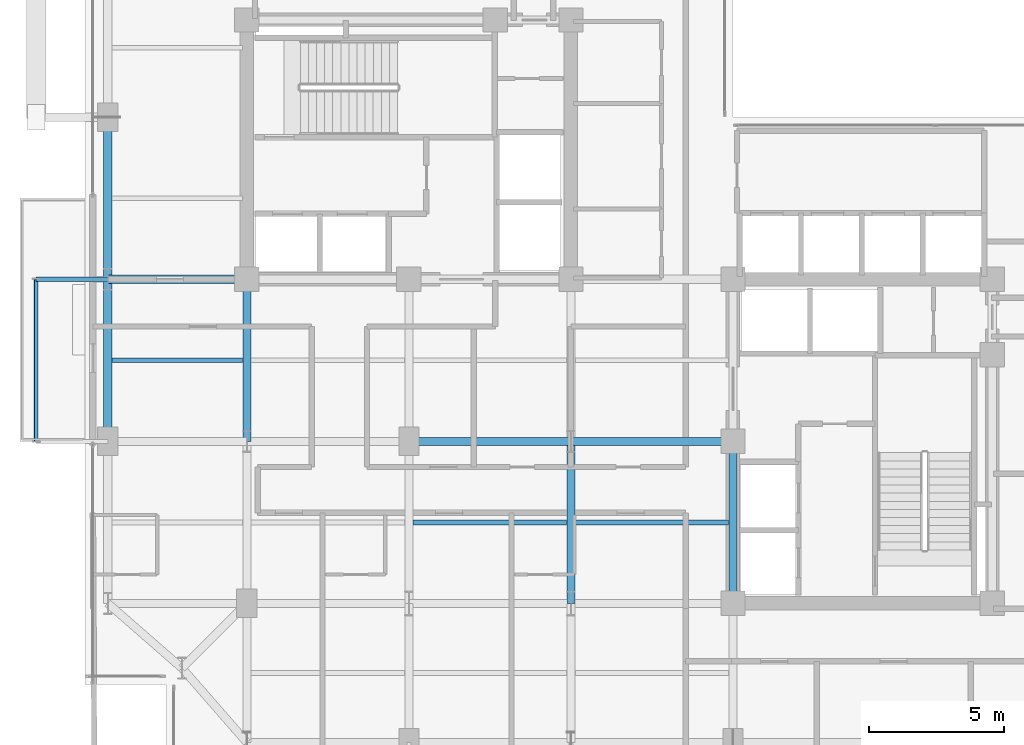
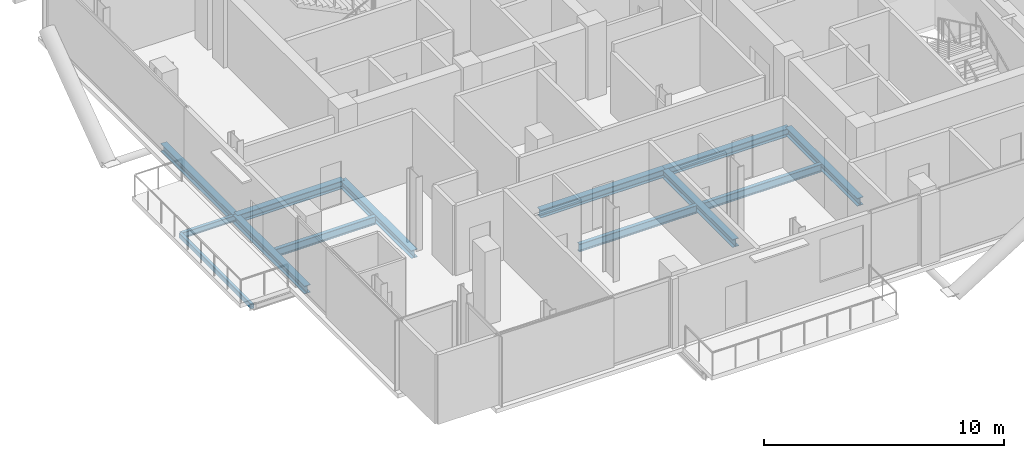
# One storey, part 6 of 22: 13 beams.
"""IFC4 building model written with IfcOpenShell, lengths in metres."""

from ifc_helpers import new_model, si_unit, direction, frame, origin, origin_2d, place, context, subcontext, project, spatial, hollow_rectangle, i_section, extrude, material, material_profile, profile_set, type_object, element, save


model = new_model("IFC4")

# Units and contexts
model_context = context("Model", 3, precision=1e-05, world=origin(), true_north=direction((0.0, 1.0)))
body_context = subcontext(model_context, "Body", "Model", "MODEL_VIEW")
ifc_project = project(units=[si_unit("LENGTHUNIT", "METRE"), si_unit("AREAUNIT", "SQUARE_METRE"), si_unit("VOLUMEUNIT", "CUBIC_METRE"), si_unit("PLANEANGLEUNIT", "RADIAN"), si_unit("MASSUNIT", "GRAM", prefix="KILO"), si_unit("THERMODYNAMICTEMPERATUREUNIT", "KELVIN"), si_unit("POWERUNIT", "WATT")], contexts=[model_context])

# Site, building, storey
site_placement = place(None, origin())
site = spatial("IfcSite", under=ifc_project, at=site_placement, CompositionType="ELEMENT")
building_placement = place(site_placement, origin())
building = spatial("IfcBuilding", under=site, at=building_placement, Name="Svarakhadi Broadcast Tower", CompositionType="ELEMENT")
storey_placement = place(building_placement, frame((0.0, 0.0, 176.699951171875)))
storey = spatial("IfcBuildingStorey", under=building, at=storey_placement, Name="L43", CompositionType="ELEMENT", Elevation=176.699951171875)

# Beams
ifc_material_1 = material(Name="Steel S355J2 (IS 2062 E350C)", Category="steel")
ifc_material_profile_1 = material_profile(ifc_material_1, i_section(OverallWidth=0.179931640625, OverallDepth=0.39990234375, WebThickness=0.008544921875, FlangeThickness=0.013427734375, FilletRadius=0.02099609375, at=origin_2d()), Name="NPB 400x180x66")
ifc_profile_set_1 = profile_set([ifc_material_profile_1], Name="Steel S355J2 (IS 2062 E350C)")
beam_type_1 = type_object("IfcBeamType", Name="Beam_NPB400", PredefinedType="BEAM", material=ifc_profile_set_1)
beam_1_placement = place(storey_placement, frame((1.010009765625, 15.0, -0.409912109375), z_axis=(1.0, 0.0, 0.0), x_axis=(0.0, 1.0, 0.0)))
element("IfcBeam", 1, at=beam_1_placement, inside=storey, type_object=beam_type_1, Name="L43 Secondary Composite Beam SB002", PredefinedType="BEAM", context=body_context, shape_type="SweptSolid", body=[
    extrude(i_section(OverallWidth=0.179931640625, OverallDepth=0.39990234375, WebThickness=0.008544921875, FlangeThickness=0.013427734375, FilletRadius=0.02099609375, at=origin_2d()), origin(), (0.0, 0.0, 1.0), 4.830078125),
])
for number, where, z_axis, x_axis, name in (
    (2, (12.159912109375, 9.0, -0.409912109375), (1.0, 0.0, 0.0), (0.0, 1.0, 0.0), "L43 Secondary Composite Beam SB010"),
    (3, (18.159912109375, 9.0, -0.409912109375), (1.0, 0.0, 0.0), (0.0, 1.0, 0.0), "L43 Secondary Composite Beam SB014"),
):
    element("IfcBeam", number, at=place(storey_placement, frame(where, z_axis=z_axis, x_axis=x_axis)), inside=storey, type_object=beam_type_1, Name=name, PredefinedType="BEAM", context=body_context, shape_type="SweptSolid", body=[
        extrude(i_section(OverallWidth=0.179931640625, OverallDepth=0.39990234375, WebThickness=0.008544921875, FlangeThickness=0.013427734375, FilletRadius=0.02099609375, at=origin_2d()), origin(), (0.0, 0.0, 1.0), 5.68017578125),
    ])
ifc_material_profile_2 = material_profile(ifc_material_1, i_section(OverallWidth=0.300048828125, OverallDepth=0.39990234375, WebThickness=0.013427734375, FlangeThickness=0.02392578125, FilletRadius=0.027099609375, at=origin_2d()), Name="WPB 400x300x155")
ifc_profile_set_2 = profile_set([ifc_material_profile_2], Name="Steel S355J2 (IS 2062 E350C)")
beam_type_2 = type_object("IfcBeamType", Name="Girder_WPB400", PredefinedType="USERDEFINED", material=ifc_profile_set_2)
for number, where, z_axis, x_axis, name in (
    (4, (12.0, 12.0, -0.409912109375), (1.0, 0.0, 0.0), (0.0, 1.0, 0.0), "L43 Primary E-W Girder G017"),
    (5, (18.0, 12.0, -0.409912109375), (1.0, 0.0, 0.0), (0.0, 1.0, 0.0), "L43 Primary E-W Girder G018"),
):
    element("IfcBeam", number, at=place(storey_placement, frame(where, z_axis=z_axis, x_axis=x_axis)), inside=storey, type_object=beam_type_2, Name=name, ObjectType="GIRDER", PredefinedType="USERDEFINED", context=body_context, shape_type="SweptSolid", body=[
        extrude(i_section(OverallWidth=0.300048828125, OverallDepth=0.39990234375, WebThickness=0.013427734375, FlangeThickness=0.02392578125, FilletRadius=0.027099609375, at=origin_2d()), origin(), (0.0, 0.0, 1.0), 6.0),
    ])
beam_2_placement = place(storey_placement, frame((0.85009765625, 18.0, -0.409912109375), z_axis=(1.0, 0.0, 0.0), x_axis=(0.0, 1.0, 0.0)))
element("IfcBeam", 6, at=beam_2_placement, inside=storey, type_object=beam_type_2, Name="L43 Primary E-W Girder G020", ObjectType="GIRDER", PredefinedType="USERDEFINED", context=body_context, shape_type="SweptSolid", body=[
    extrude(i_section(OverallWidth=0.300048828125, OverallDepth=0.39990234375, WebThickness=0.013427734375, FlangeThickness=0.02392578125, FilletRadius=0.027099609375, at=origin_2d()), origin(), (0.0, 0.0, 1.0), 5.14990234375),
])
for number, where, z_axis, x_axis, name in (
    (7, (0.85009765625, 12.0, -0.409912109375), (0.0, 1.0, 0.0), (-1.0, 0.0, 0.0), "L43 Primary N-S Girder G034"),
    (8, (0.85009765625, 18.0, -0.409912109375), (0.0, 1.0, 0.0), (-1.0, 0.0, 0.0), "L43 Primary N-S Girder G035"),
    (9, (6.0, 12.0, -0.409912109375), (0.0, 1.0, 0.0), (-1.0, 0.0, 0.0), "L43 Primary N-S Girder G039"),
    (10, (18.0, 6.0, -0.409912109375), (0.0, 1.0, 0.0), (-1.0, 0.0, 0.0), "L43 Primary N-S Girder G047"),
    (11, (24.0, 6.0, -0.409912109375), (0.0, 1.0, 0.0), (-1.0, 0.0, 0.0), "L43 Primary N-S Girder G052"),
):
    element("IfcBeam", number, at=place(storey_placement, frame(where, z_axis=z_axis, x_axis=x_axis)), inside=storey, type_object=beam_type_2, Name=name, ObjectType="GIRDER", PredefinedType="USERDEFINED", context=body_context, shape_type="SweptSolid", body=[
        extrude(i_section(OverallWidth=0.300048828125, OverallDepth=0.39990234375, WebThickness=0.013427734375, FlangeThickness=0.02392578125, FilletRadius=0.027099609375, at=origin_2d()), origin(), (0.0, 0.0, 1.0), 6.0),
    ])
ifc_material_profile_3 = material_profile(ifc_material_1, i_section(OverallWidth=0.14990234375, OverallDepth=0.300048828125, WebThickness=0.007080078125, FlangeThickness=0.0107421875, FilletRadius=0.014892578125, at=origin_2d()), Name="NPB 300x150x37")
ifc_profile_set_3 = profile_set([ifc_material_profile_3], Name="Steel S355J2 (IS 2062 E350C)")
beam_type_3 = type_object("IfcBeamType", Name="Spandrel_NPB300", PredefinedType="SPANDREL", material=ifc_profile_set_3)
beam_3_placement = place(storey_placement, frame((0.85009765625, 18.0, -0.375), z_axis=(-1.0, 0.0, 0.0), x_axis=(0.0, -1.0, 0.0)))
element("IfcBeam", 12, at=beam_3_placement, inside=storey, type_object=beam_type_3, Name="L43 Balcony Cantilever Bracket 2B", PredefinedType="SPANDREL", context=body_context, shape_type="SweptSolid", body=[
    extrude(i_section(OverallWidth=0.14990234375, OverallDepth=0.300048828125, WebThickness=0.007080078125, FlangeThickness=0.0107421875, FilletRadius=0.014892578125, at=origin_2d()), origin(), (0.0, 0.0, 1.0), 2.650146484375),
])
ifc_material_2 = material(Name="Steel S460ML (IS 2062 E450BR)", Category="steel")
ifc_material_profile_4 = material_profile(ifc_material_2, hollow_rectangle(XDim=0.14990234375, YDim=0.25, WallThickness=0.010009765625, InnerFilletRadius=0.010009765625, OuterFilletRadius=0.02001953125, at=origin_2d()), Name="RHS 250x150x10")
ifc_profile_set_4 = profile_set([ifc_material_profile_4], Name="Steel S460ML (IS 2062 E450BR)")
beam_type_4 = type_object("IfcBeamType", Name="Spandrel_RHS250", PredefinedType="SPANDREL", material=ifc_profile_set_4)
beam_4_placement = place(storey_placement, frame((-1.800048828125, 12.0, -0.349853515625), z_axis=(0.0, 1.0, 0.0), x_axis=(-1.0, 0.0, 0.0)))
element("IfcBeam", 13, at=beam_4_placement, inside=storey, type_object=beam_type_4, Name="L43 Balcony Outer Spandrel 2F", PredefinedType="SPANDREL", context=body_context, shape_type="SweptSolid", body=[
    extrude(hollow_rectangle(XDim=0.14990234375, YDim=0.25, WallThickness=0.010009765625, InnerFilletRadius=0.010009765625, OuterFilletRadius=0.02001953125, at=origin_2d()), origin(), (0.0, 0.0, 1.0), 6.0),
])

save(model, "model.ifc")
